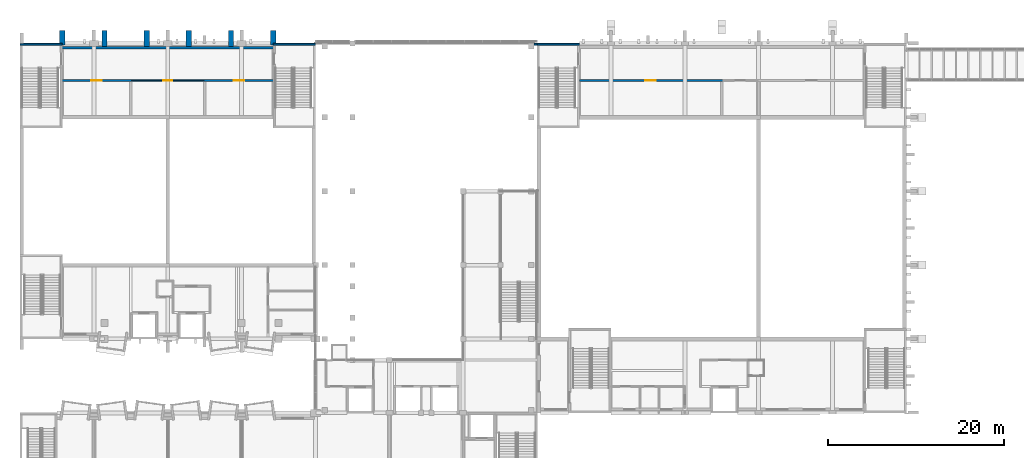
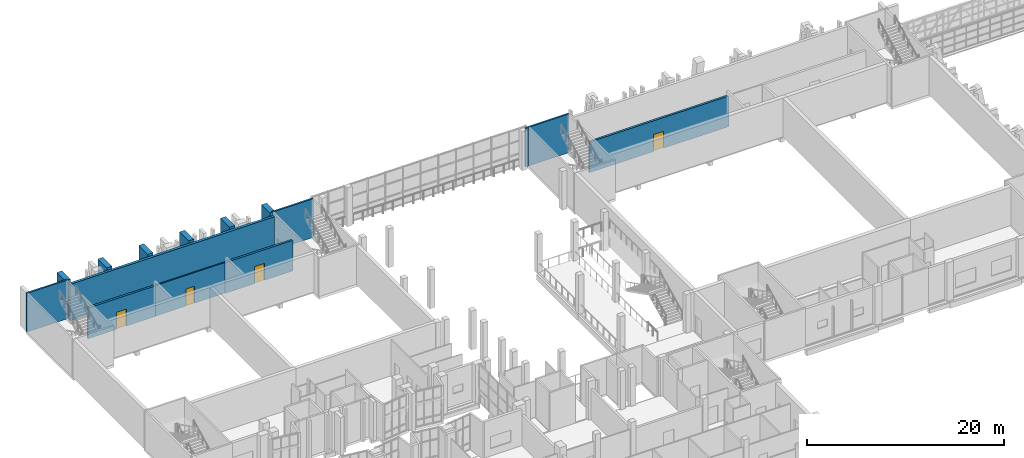
# One storey, part 37 of 91: 15 walls, 4 doors, 4 openings.
"""IFC4 building model written with IfcOpenShell, lengths in metres."""

from ifc_helpers import new_model, si_unit, direction, frame, frame_2d, origin, place, context, subcontext, project, spatial, rectangle, extrude, material, layer, layer_set, type_object, element, fill, save


model = new_model("IFC4")

# Units and contexts
model_context = context("Model", 3, precision=1e-05, world=origin(), true_north=direction((0.0, 1.0)))
body_context = subcontext(model_context, "Body", "Model", "MODEL_VIEW")
ifc_project = project(units=[si_unit("LENGTHUNIT", "METRE"), si_unit("AREAUNIT", "SQUARE_METRE"), si_unit("VOLUMEUNIT", "CUBIC_METRE"), si_unit("PLANEANGLEUNIT", "RADIAN"), si_unit("MASSUNIT", "GRAM", prefix="KILO")], contexts=[model_context])

# Site, building, storey
site_placement = place(None, origin())
site = spatial("IfcSite", under=ifc_project, at=site_placement, CompositionType="ELEMENT")
building_placement = place(site_placement, origin())
building = spatial("IfcBuilding", under=site, at=building_placement, Name="Kiln Court Media Centre", CompositionType="ELEMENT")
storey_placement = place(building_placement, frame((0.0, 0.0, 5.39990234375)))
storey = spatial("IfcBuildingStorey", under=building, at=storey_placement, Name="L01", CompositionType="ELEMENT", Elevation=5.39990234375)

# Walls
ifc_material_1 = material(Name="Concrete C40/50", Category="concrete")
ifc_layer_1 = layer(ifc_material_1, 0.300048828125)
ifc_layer_set_1 = layer_set([ifc_layer_1], Name="Concrete C40/50 board-marked facade wall 300")
wall_type_1 = type_object("IfcWallType", Name="Concrete C40/50 board-marked facade wall 300", PredefinedType="SOLIDWALL", material=ifc_layer_set_1)
wall_1_placement = place(storey_placement, frame((4.800048828125, 66.699951171875, 0.0), z_axis=(0.0, 0.0, 1.0), x_axis=(1.0, 0.0, 0.0)))
element("IfcWall", 1, at=wall_1_placement, inside=storey, type_object=wall_type_1, Name="V4 N facade wall 4008", PredefinedType="SOLIDWALL", context=body_context, shape_type="SweptSolid", body=[
    extrude(rectangle(XDim=24.0, YDim=0.300048828125, at=frame_2d((12.0, 0.0))), origin(), (0.0, 0.0, 1.0), 4.5),
])
ifc_material_2 = material(Name="Concrete C40/50", Category="concrete")
ifc_layer_2 = layer(ifc_material_2, 0.60009765625)
ifc_layer_set_2 = layer_set([ifc_layer_2], Name="Concrete C40/50 cast rib 600x1500")
wall_type_2 = type_object("IfcWallType", Name="Concrete C40/50 cast rib 600x1500", PredefinedType="SOLIDWALL", material=ifc_layer_set_2)
wall_2_placement = place(storey_placement, frame((4.800048828125, 67.0, 0.0), z_axis=(0.0, 0.0, 1.0), x_axis=(0.0, 1.0, 0.0)))
element("IfcWall", 2, at=wall_2_placement, inside=storey, type_object=wall_type_2, Name="V4 N cast rib 1", PredefinedType="SOLIDWALL", context=body_context, shape_type="SweptSolid", body=[
    extrude(rectangle(XDim=1.699951171875, YDim=0.60009765625, at=frame_2d((0.85009765625, 0.0))), origin(), (0.0, 0.0, 1.0), 4.800048828125),
])
for number, where, z_axis, x_axis, name in (
    (3, (9.60009765625, 66.85009765625, 0.0), (0.0, 0.0, 1.0), (0.0, 1.0, 0.0), "V4 N cast rib 2"),
    (4, (14.39990234375, 66.85009765625, 0.0), (0.0, 0.0, 1.0), (0.0, 1.0, 0.0), "V4 N cast rib 3"),
    (5, (19.199951171875, 66.85009765625, 0.0), (0.0, 0.0, 1.0), (0.0, 1.0, 0.0), "V4 N cast rib 4"),
    (6, (24.0, 66.85009765625, 0.0), (0.0, 0.0, 1.0), (0.0, 1.0, 0.0), "V4 N cast rib 5"),
):
    element("IfcWall", number, at=place(storey_placement, frame(where, z_axis=z_axis, x_axis=x_axis)), inside=storey, type_object=wall_type_2, Name=name, PredefinedType="SOLIDWALL", context=body_context, shape_type="SweptSolid", body=[
        extrude(rectangle(XDim=1.849853515625, YDim=0.60009765625, at=frame_2d((0.9248046875, 0.0))), origin(), (0.0, 0.0, 1.0), 4.800048828125),
    ])
wall_3_placement = place(storey_placement, frame((28.800048828125, 67.0, 0.0), z_axis=(0.0, 0.0, 1.0), x_axis=(0.0, 1.0, 0.0)))
element("IfcWall", 7, at=wall_3_placement, inside=storey, type_object=wall_type_2, Name="V4 N cast rib 6", PredefinedType="SOLIDWALL", context=body_context, shape_type="SweptSolid", body=[
    extrude(rectangle(XDim=1.699951171875, YDim=0.60009765625, at=frame_2d((0.85009765625, 0.0))), origin(), (0.0, 0.0, 1.0), 4.800048828125),
])
ifc_material_3 = material(Name="Concrete C40/50", Category="concrete")
ifc_layer_3 = layer(ifc_material_3, 0.199951171875)
ifc_layer_set_3 = layer_set([ifc_layer_3], Name="Concrete C40/50 shear wall 200")
wall_type_3 = type_object("IfcWallType", Name="Concrete C40/50 shear wall 200", PredefinedType="SHEAR", material=ifc_layer_set_3)
wall_4_placement = place(storey_placement, frame((0.00048828125, 67.10009765625, 0.0), z_axis=(0.0, 0.0, 1.0), x_axis=(1.0, 0.0, 0.0)))
element("IfcWall", 8, at=wall_4_placement, inside=storey, type_object=wall_type_3, Name="L01-W-1025", PredefinedType="SHEAR", context=body_context, shape_type="SweptSolid", body=[
    extrude(rectangle(XDim=4.799560546875, YDim=0.199951171875, at=frame_2d((2.39990234375, 0.0))), origin(), (0.0, 0.0, 1.0), 4.800048828125),
])
for number, where, z_axis, x_axis, name in (
    (9, (28.800048828125, 67.10009765625, 0.0), (0.0, 0.0, 1.0), (1.0, 0.0, 0.0), "L01-W-1029"),
    (10, (58.800048828125, 67.10009765625, 0.0), (0.0, 0.0, 1.0), (1.0, 0.0, 0.0), "L01-W-1041"),
):
    element("IfcWall", number, at=place(storey_placement, frame(where, z_axis=z_axis, x_axis=x_axis)), inside=storey, type_object=wall_type_3, Name=name, PredefinedType="SHEAR", context=body_context, shape_type="SweptSolid", body=[
        extrude(rectangle(XDim=4.800048828125, YDim=0.199951171875, at=frame_2d((2.39990234375, 0.0))), origin(), (0.0, 0.0, 1.0), 4.800048828125),
    ])
wall_5_placement = place(storey_placement, frame((58.449951171875, 67.10009765625, 0.0), z_axis=(0.0, 0.0, 1.0), x_axis=(1.0, 0.0, 0.0)))
element("IfcWall", 11, at=wall_5_placement, inside=storey, type_object=wall_type_3, Name="L01-W-1151", PredefinedType="SHEAR", context=body_context, shape_type="SweptSolid", body=[
    extrude(rectangle(XDim=0.35009765625, YDim=0.199951171875, at=frame_2d((0.175048828125, 0.0))), origin(), (0.0, 0.0, 1.0), 4.800048828125),
])

# Wall, opening, door
ifc_material_4 = material(Name="Gypsum plasterboard", Category="gypsum")
ifc_layer_4 = layer(ifc_material_4, 0.25)
ifc_layer_set_4 = layer_set([ifc_layer_4], Name="Double-leaf acoustic wall 250 EI 120")
wall_type_4 = type_object("IfcWallType", Name="Double-leaf acoustic wall 250 EI 120", PredefinedType="PARTITIONING", material=ifc_layer_set_4)
wall_6_placement = place(storey_placement, frame((4.800048828125, 63.0, 0.0), z_axis=(0.0, 0.0, 1.0), x_axis=(1.0, 0.0, 0.0)))
wall_6 = element("IfcWall", 12, at=wall_6_placement, inside=storey, type_object=wall_type_4, Name="L01 double-leaf acoustic wall", PredefinedType="PARTITIONING", context=body_context, shape_type="SweptSolid", body=[
    extrude(rectangle(XDim=7.925048828125, YDim=0.25, at=frame_2d((3.96240234375, 0.0))), origin(), (0.0, 0.0, 1.0), 3.800048828125),
])
opening_1_placement = place(wall_6_placement, frame((3.300048828125, 0.0, 0.0)))
opening_1 = element("IfcOpeningElement", 13, at=opening_1_placement, cuts=wall_6, Name="Opening D1030", PredefinedType="OPENING", context=body_context, shape_type="SweptSolid", body=[
    extrude(rectangle(XDim=1.199951171875, YDim=2.10009765625, at=frame_2d((0.60009765625, 1.050048828125))), frame((0.0, 0.135009765625, 0.0), z_axis=(0.0, -1.0, 0.0), x_axis=(1.0, 0.0, 0.0)), (0.0, 0.0, 1.0), 0.27001953125),
])
ifc_material_5 = material(Name="Steel S275", Category="steel")
door_type_1 = type_object("IfcDoorType", Name="Acoustic studio door 1200 x 2100 FD180", OperationType="SINGLE_SWING_LEFT", PredefinedType="DOOR", material=ifc_material_5)
door_1_placement = place(opening_1_placement, origin())
door_1 = element("IfcDoor", 14, at=door_1_placement, inside=storey, type_object=door_type_1, Name="Projection Room Screen 3 / Rear Exit Corridor", OperationType="SINGLE_SWING_LEFT", OverallHeight=2.10009765625, OverallWidth=1.199951171875, PredefinedType="DOOR", context=body_context, shape_type="SweptSolid", body=[
    extrude(rectangle(XDim=1.199951171875, YDim=2.10009765625, at=frame_2d((0.60009765625, 1.050048828125))), frame((0.0, 0.02490234375, 0.0), z_axis=(0.0, -1.0, 0.0), x_axis=(1.0, 0.0, 0.0)), (0.0, 0.0, 1.0), 0.050048828125),
])
fill(opening_1, door_1)

wall_7_placement = place(storey_placement, frame((20.875, 63.0, 0.0), z_axis=(0.0, 0.0, 1.0), x_axis=(1.0, 0.0, 0.0)))
wall_7 = element("IfcWall", 15, at=wall_7_placement, inside=storey, type_object=wall_type_4, Name="L01 double-leaf acoustic wall", PredefinedType="PARTITIONING", context=body_context, shape_type="SweptSolid", body=[
    extrude(rectangle(XDim=7.9248046875, YDim=0.25, at=frame_2d((3.96240234375, 0.0))), origin(), (0.0, 0.0, 1.0), 3.800048828125),
])
opening_2_placement = place(wall_7_placement, frame((3.425048828125, 0.0, 0.0)))
opening_2 = element("IfcOpeningElement", 16, at=opening_2_placement, cuts=wall_7, Name="Opening D1032", PredefinedType="OPENING", context=body_context, shape_type="SweptSolid", body=[
    extrude(rectangle(XDim=1.199951171875, YDim=2.10009765625, at=frame_2d((0.60009765625, 1.050048828125))), frame((0.0, 0.135009765625, 0.0), z_axis=(0.0, -1.0, 0.0), x_axis=(1.0, 0.0, 0.0)), (0.0, 0.0, 1.0), 0.27001953125),
])
door_2_placement = place(opening_2_placement, origin())
door_2 = element("IfcDoor", 17, at=door_2_placement, inside=storey, type_object=door_type_1, Name="Projection Room Screen 4 / Rear Exit Corridor", OperationType="SINGLE_SWING_LEFT", OverallHeight=2.10009765625, OverallWidth=1.199951171875, PredefinedType="DOOR", context=body_context, shape_type="SweptSolid", body=[
    extrude(rectangle(XDim=1.199951171875, YDim=2.10009765625, at=frame_2d((0.60009765625, 1.050048828125))), frame((0.0, 0.02490234375, 0.0), z_axis=(0.0, -1.0, 0.0), x_axis=(1.0, 0.0, 0.0)), (0.0, 0.0, 1.0), 0.050048828125),
])
fill(opening_2, door_2)

wall_8_placement = place(storey_placement, frame((63.60009765625, 63.0, 0.0), z_axis=(0.0, 0.0, 1.0), x_axis=(1.0, 0.0, 0.0)))
wall_8 = element("IfcWall", 18, at=wall_8_placement, inside=storey, type_object=wall_type_4, Name="L01 double-leaf acoustic wall", PredefinedType="PARTITIONING", context=body_context, shape_type="SweptSolid", body=[
    extrude(rectangle(XDim=16.324951171875, YDim=0.25, at=frame_2d((8.16259765625, 0.0))), origin(), (0.0, 0.0, 1.0), 3.800048828125),
])
opening_3_placement = place(wall_8_placement, frame((7.5, 0.0, 0.0)))
opening_3 = element("IfcOpeningElement", 19, at=opening_3_placement, cuts=wall_8, Name="Opening D1024", PredefinedType="OPENING", context=body_context, shape_type="SweptSolid", body=[
    extrude(rectangle(XDim=1.199951171875, YDim=2.10009765625, at=frame_2d((0.60009765625, 1.050048828125))), frame((0.0, 0.135009765625, 0.0), z_axis=(0.0, -1.0, 0.0), x_axis=(1.0, 0.0, 0.0)), (0.0, 0.0, 1.0), 0.27001953125),
])
door_3_placement = place(opening_3_placement, origin())
door_3 = element("IfcDoor", 20, at=door_3_placement, inside=storey, type_object=door_type_1, Name="Projection Room Screen 1 / Rear Exit Corridor", OperationType="SINGLE_SWING_RIGHT", OverallHeight=2.10009765625, OverallWidth=1.199951171875, PredefinedType="DOOR", context=body_context, shape_type="SweptSolid", body=[
    extrude(rectangle(XDim=1.199951171875, YDim=2.10009765625, at=frame_2d((0.60009765625, 1.050048828125))), frame((0.0, 0.02490234375, 0.0), z_axis=(0.0, -1.0, 0.0), x_axis=(1.0, 0.0, 0.0)), (0.0, 0.0, 1.0), 0.050048828125),
])
fill(opening_3, door_3)

ifc_material_6 = material(Name="Gypsum plasterboard", Category="gypsum")
ifc_layer_5 = layer(ifc_material_6, 0.14990234375)
ifc_layer_set_5 = layer_set([ifc_layer_5], Name="Gypsum corridor partition 150 EI 60")
wall_type_5 = type_object("IfcWallType", Name="Gypsum corridor partition 150 EI 60", PredefinedType="PARTITIONING", material=ifc_layer_set_5)
wall_9_placement = place(storey_placement, frame((12.72509765625, 63.0, 0.0), z_axis=(0.0, 0.0, 1.0), x_axis=(1.0, 0.0, 0.0)))
wall_9 = element("IfcWall", 21, at=wall_9_placement, inside=storey, type_object=wall_type_5, Name="L01 gypsum corridor partition", PredefinedType="PARTITIONING", context=body_context, shape_type="SweptSolid", body=[
    extrude(rectangle(XDim=8.14990234375, YDim=0.14990234375, at=frame_2d((4.074951171875, 0.0))), origin(), (0.0, 0.0, 1.0), 3.800048828125),
])
opening_4_placement = place(wall_9_placement, frame((3.574951171875, 0.0, 0.0)))
opening_4 = element("IfcOpeningElement", 22, at=opening_4_placement, cuts=wall_9, Name="Opening D1031", PredefinedType="OPENING", context=body_context, shape_type="SweptSolid", body=[
    extrude(rectangle(XDim=1.0, YDim=2.10009765625, at=frame_2d((0.5, 1.050048828125))), frame((0.0, 0.0849609375, 0.0), z_axis=(0.0, -1.0, 0.0), x_axis=(1.0, 0.0, 0.0)), (0.0, 0.0, 1.0), 0.169921875),
])
ifc_material_7 = material(Name="Steel S275", Category="steel")
door_type_2 = type_object("IfcDoorType", Name="Steel corridor door 1000 x 2100 FD30S", OperationType="SINGLE_SWING_LEFT", PredefinedType="DOOR", material=ifc_material_7)
door_4_placement = place(opening_4_placement, origin())
door_4 = element("IfcDoor", 23, at=door_4_placement, inside=storey, type_object=door_type_2, Name="Equipment Store / Rear Exit Corridor", OperationType="SINGLE_SWING_RIGHT", OverallHeight=2.10009765625, OverallWidth=1.0, PredefinedType="DOOR", context=body_context, shape_type="SweptSolid", body=[
    extrude(rectangle(XDim=1.0, YDim=2.10009765625, at=frame_2d((0.5, 1.050048828125))), frame((0.0, 0.02490234375, 0.0), z_axis=(0.0, -1.0, 0.0), x_axis=(1.0, 0.0, 0.0)), (0.0, 0.0, 1.0), 0.050048828125),
])
fill(opening_4, door_4)

save(model, "model.ifc")
